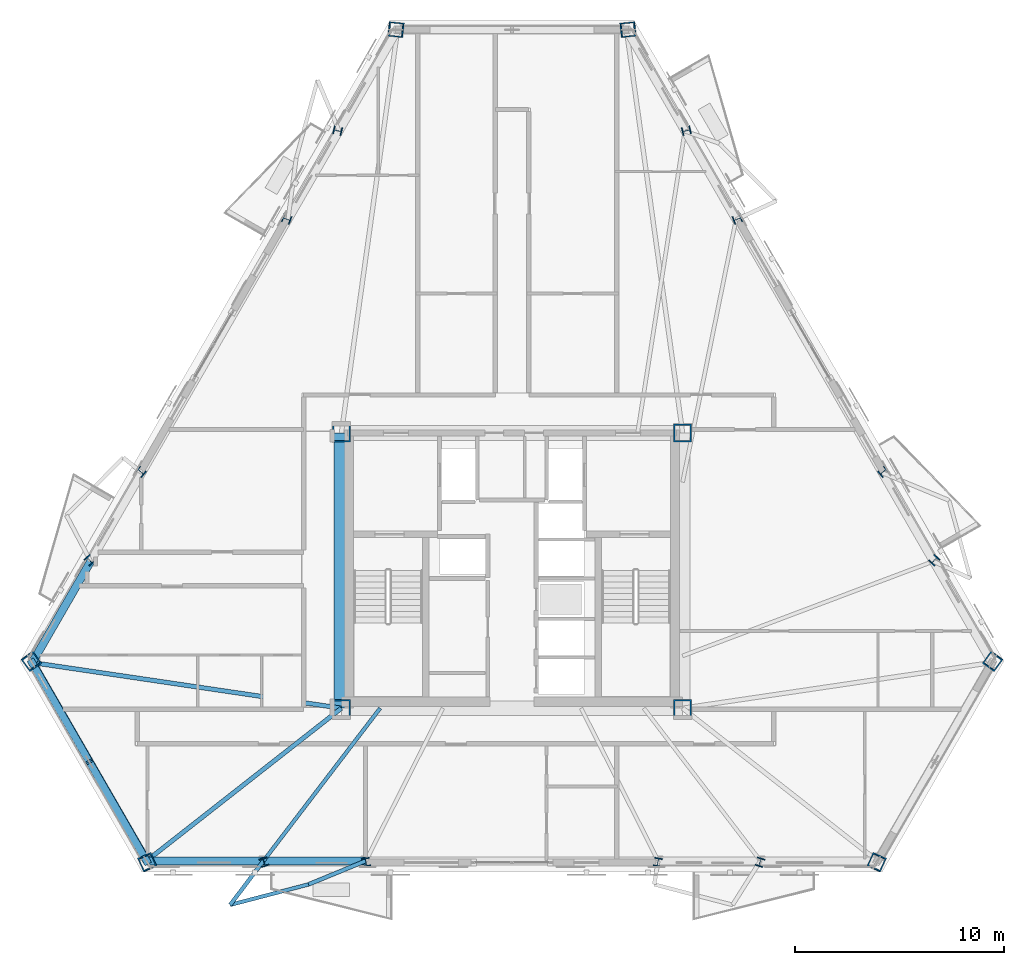
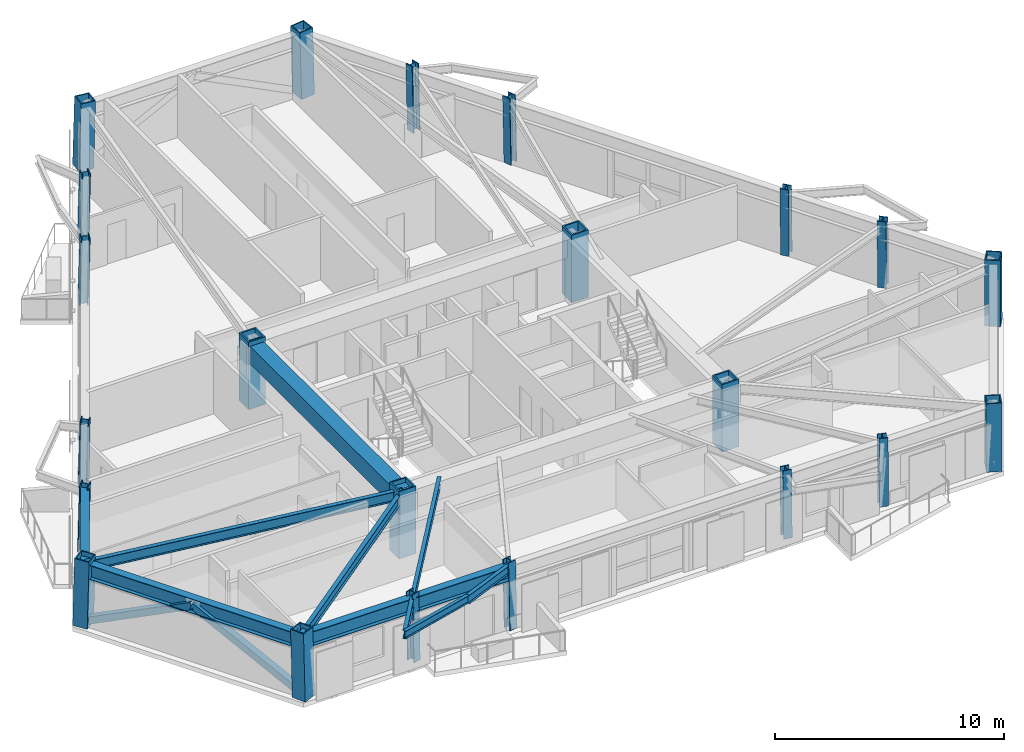
# One storey, part 1 of 16: 22 columns, 11 beams, 2 members.
"""IFC4 building model written with IfcOpenShell, lengths in metres."""

from ifc_helpers import new_model, si_unit, direction, frame, origin, origin_2d, place, context, subcontext, project, spatial, rectangle, hollow_rectangle, i_section, extrude, material, material_profile, profile_set, type_object, element, save


model = new_model("IFC4")

# Units and contexts
model_context = context("Model", 3, precision=1e-05, world=origin(), true_north=direction((0.0, 1.0)))
body_context = subcontext(model_context, "Body", "Model", "MODEL_VIEW")
ifc_project = project(units=[si_unit("LENGTHUNIT", "METRE"), si_unit("AREAUNIT", "SQUARE_METRE"), si_unit("VOLUMEUNIT", "CUBIC_METRE"), si_unit("PLANEANGLEUNIT", "RADIAN"), si_unit("MASSUNIT", "GRAM", prefix="KILO")], contexts=[model_context])

# Site, building, storey
site_placement = place(None, origin())
site = spatial("IfcSite", under=ifc_project, at=site_placement, CompositionType="ELEMENT")
building_placement = place(site_placement, origin())
building = spatial("IfcBuilding", under=site, at=building_placement, Name="Oramaril Tower", CompositionType="ELEMENT")
storey_placement = place(building_placement, frame((0.0, 0.0, 115.800048828125)))
storey = spatial("IfcBuildingStorey", under=building, at=storey_placement, Name="L30", CompositionType="ELEMENT", Elevation=115.800048828125)

# Columns
ifc_material_1 = material(Name="Steel ASTM A572 Gr 50", Category="steel")
ifc_material_profile_1 = material_profile(ifc_material_1, hollow_rectangle(XDim=0.85009765625, YDim=0.85009765625, WallThickness=0.070068359375, at=origin_2d()), Name="BOX850X850X70")
ifc_profile_set_1 = profile_set([ifc_material_profile_1], Name="Steel ASTM A572 Gr 50")
column_type_1 = type_object("IfcColumnType", Name="CT-CC3", PredefinedType="COLUMN", material=ifc_profile_set_1)
for number, where, z_axis, x_axis, name in (
    (1, (29.35009765625, 11.0, 0.0), (0.0, 0.0, 1.0), (1.0, 0.0, 0.0), "L30 Core Column CC-1"),
    (2, (45.64990234375, 11.0, 0.0), (0.0, 0.0, 1.0), (1.0, 0.0, 0.0), "L30 Core Column CC-2"),
    (3, (45.64990234375, 24.14990234375, 0.0), (0.0, 0.0, 1.0), (1.0, 0.0, 0.0), "L30 Core Column CC-3"),
    (4, (29.35009765625, 24.14990234375, 0.0), (0.0, 0.0, 1.0), (1.0, 0.0, 0.0), "L30 Core Column CC-4"),
):
    element("IfcColumn", number, at=place(storey_placement, frame(where, z_axis=z_axis, x_axis=x_axis)), inside=storey, type_object=column_type_1, Name=name, PredefinedType="COLUMN", context=body_context, shape_type="SweptSolid", body=[
        extrude(hollow_rectangle(XDim=0.85009765625, YDim=0.85009765625, WallThickness=0.070068359375, at=origin_2d()), origin(), (0.0, 0.0, 1.0), 3.599853515625),
    ])
ifc_material_2 = material(Name="Steel ASTM A572 Gr 50", Category="steel")
ifc_material_profile_2 = material_profile(ifc_material_2, hollow_rectangle(XDim=0.699951171875, YDim=0.699951171875, WallThickness=0.054931640625, at=origin_2d()), Name="BOX700X700X55")
ifc_profile_set_2 = profile_set([ifc_material_profile_2], Name="Steel ASTM A572 Gr 50")
column_type_2 = type_object("IfcColumnType", Name="CT-TC4", PredefinedType="COLUMN", material=ifc_profile_set_2)
for number, where, z_axis, x_axis, name in (
    (5, (14.529296875, 13.255126953125, 0.00439453125), (0.015019891197, -0.020728809118, 0.999672305979), (0.809768124835, 0.586750018323, 0.0), "L30 Tube Column TC-01"),
    (6, (20.0869140625, 3.62939453125, 0.00439453125), (-0.01046637819, 0.023243515202, 0.999675044166), (-0.911821705631, -0.410586382068, 0.0), "L30 Tube Column TC-02"),
    (7, (54.9130859375, 3.62939453125, 0.00439453125), (0.01046637819, 0.023243515202, 0.999675044166), (-0.911821705631, 0.410586382068, 0.0), "L30 Tube Column TC-03"),
    (8, (60.470703125, 13.255126953125, 0.00439453125), (-0.015019891197, -0.020728809118, 0.999672305979), (0.809768124835, -0.586750018323, 0.0), "L30 Tube Column TC-04"),
    (9, (43.0576171875, 43.41552734375, 0.00439453125), (-0.025486228771, -0.002582604515, 0.999671837303), (0.100817038257, -0.994904982798, 0.0), "L30 Tube Column TC-05"),
    (10, (31.9423828125, 43.41552734375, 0.00439453125), (0.025486228771, -0.002582604515, 0.999671837303), (0.100817038257, 0.994904982798, 0.0), "L30 Tube Column TC-06"),
):
    element("IfcColumn", number, at=place(storey_placement, frame(where, z_axis=z_axis, x_axis=x_axis)), inside=storey, type_object=column_type_2, Name=name, PredefinedType="COLUMN", context=body_context, shape_type="SweptSolid", body=[
        extrude(hollow_rectangle(XDim=0.699951171875, YDim=0.699951171875, WallThickness=0.054931640625, at=origin_2d()), origin(), (0.0, 0.0, 1.0), 3.59228515625),
    ])
ifc_material_3 = material(Name="Steel ASTM A572 Gr 50", Category="steel")
ifc_material_profile_3 = material_profile(ifc_material_3, i_section(OverallWidth=0.404052734375, OverallDepth=0.406005859375, WebThickness=0.027099609375, FlangeThickness=0.043701171875, at=origin_2d()), Name="W14X233")
ifc_profile_set_3 = profile_set([ifc_material_profile_3], Name="Steel ASTM A572 Gr 50")
column_type_3 = type_object("IfcColumnType", Name="CT-TF3", PredefinedType="COLUMN", material=ifc_profile_set_3)
for number, where, z_axis, x_axis, name in (
    (11, (25.6591796875, 3.62939453125, 0.00439453125), (-0.007136376119, 0.023244196502, 0.999704346027), (-0.955960137676, -0.293496533497, 0.0), "L30 Tube Column TC-07"),
    (12, (30.534912109375, 3.62939453125, 0.00439453125), (-0.004213930076, 0.023244582031, 0.999720927159), (-0.9839618464, -0.178379048178, 0.0), "L30 Tube Column TC-08"),
    (13, (44.465087890625, 3.62939453125, 0.00439453125), (0.004213930076, 0.023244582031, 0.999720927159), (-0.9839618464, 0.178379048178, 0.0), "L30 Tube Column TC-09"),
    (14, (49.3408203125, 3.62939453125, 0.00439453125), (0.007136376119, 0.023244196502, 0.999704346027), (-0.955960137676, 0.293496533497, 0.0), "L30 Tube Column TC-10"),
    (15, (57.6845703125, 18.080810546875, 0.00439453125), (-0.016651518125, -0.017806929587, 0.99970277593), (0.730405993904, -0.683013238575, 0.0), "L30 Tube Column TC-11"),
    (16, (55.24658203125, 22.30322265625, 0.00439453125), (-0.01807909543, -0.015292467939, 0.999719604055), (0.645813564454, -0.763495147311, 0.0), "L30 Tube Column TC-12"),
    (17, (48.281494140625, 34.367431640625, 0.00439453125), (-0.022293001186, -0.008088009577, 0.999718763553), (0.341052623306, -0.940044205416, 0.0), "L30 Tube Column TC-13"),
    (18, (45.843505859375, 38.58984375, 0.00439453125), (-0.023719934475, -0.005505199692, 0.999703484782), (0.226082413774, -0.974108177864, 0.0), "L30 Tube Column TC-14"),
    (19, (29.156494140625, 38.58984375, 0.00439453125), (0.023719934475, -0.005505199692, 0.999703484782), (0.226082413774, 0.974108177864, 0.0), "L30 Tube Column TC-15"),
    (20, (26.718505859375, 34.367431640625, 0.00439453125), (0.022293001186, -0.008088009577, 0.999718763553), (0.341052623306, 0.940044205416, 0.0), "L30 Tube Column TC-16"),
    (21, (19.75341796875, 22.30322265625, 0.00439453125), (0.01807909543, -0.015292467939, 0.999719604055), (0.645813564454, 0.763495147311, 0.0), "L30 Tube Column TC-17"),
    (22, (17.3154296875, 18.080810546875, 0.00439453125), (0.016651518125, -0.017806929587, 0.99970277593), (0.730405993904, 0.683013238575, 0.0), "L30 Tube Column TC-18"),
):
    element("IfcColumn", number, at=place(storey_placement, frame(where, z_axis=z_axis, x_axis=x_axis)), inside=storey, type_object=column_type_3, Name=name, PredefinedType="COLUMN", context=body_context, shape_type="SweptSolid", body=[
        extrude(i_section(OverallWidth=0.404052734375, OverallDepth=0.406005859375, WebThickness=0.027099609375, FlangeThickness=0.043701171875, at=origin_2d()), origin(), (0.0, 0.0, 1.0), 3.592041015625),
    ])

# Beams
ifc_material_4 = material(Name="Steel ASTM A572 Gr 50", Category="steel")
ifc_material_profile_4 = material_profile(ifc_material_4, i_section(OverallWidth=0.19091796875, OverallDepth=0.45703125, WebThickness=0.009033203125, FlangeThickness=0.014404296875, at=origin_2d()), Name="W18X50")
ifc_profile_set_4 = profile_set([ifc_material_profile_4], Name="Steel ASTM A572 Gr 50")
beam_type_1 = type_object("IfcBeamType", Name="BT-BB1", PredefinedType="BEAM", material=ifc_profile_set_4)
beam_1_placement = place(storey_placement, frame((25.633544921875, 3.712890625, 3.13134765625), z_axis=(-0.603863020332, -0.797088108477, 0.0), x_axis=(0.797088108477, -0.603863020332, 0.0)))
element("IfcBeam", 23, at=beam_1_placement, inside=storey, type_object=beam_type_1, Name="L30 Balcony Column-Framed Cantilever 01.1", PredefinedType="BEAM", context=body_context, shape_type="SweptSolid", body=[
    extrude(i_section(OverallWidth=0.19091796875, OverallDepth=0.45703125, WebThickness=0.009033203125, FlangeThickness=0.014404296875, at=origin_2d()), origin(), (0.0, 0.0, 1.0), 2.64453125),
])
beam_2_placement = place(storey_placement, frame((30.519775390625, 3.712890625, 3.13134765625), z_axis=(-0.924666149607, -0.380778822639, 0.0), x_axis=(0.380778822639, -0.924666149607, 0.0)))
element("IfcBeam", 24, at=beam_2_placement, inside=storey, type_object=beam_type_1, Name="L30 Balcony Column-Framed Cantilever 01.2", PredefinedType="BEAM", context=body_context, shape_type="SweptSolid", body=[
    extrude(i_section(OverallWidth=0.19091796875, OverallDepth=0.45703125, WebThickness=0.009033203125, FlangeThickness=0.014404296875, at=origin_2d()), origin(), (0.0, 0.0, 1.0), 2.962158203125),
])
ifc_material_5 = material(Name="Concrete C50/60", Category="concrete")
ifc_material_profile_5 = material_profile(ifc_material_5, rectangle(XDim=0.699951171875, YDim=0.949951171875, at=origin_2d()), Name="CB700X950")
ifc_profile_set_5 = profile_set([ifc_material_profile_5], Name="Concrete C50/60")
beam_type_2 = type_object("IfcBeamType", Name="BT-CB1", PredefinedType="BEAM", material=ifc_profile_set_5)
beam_3_placement = place(storey_placement, frame((29.35009765625, 24.14990234375, 2.885009765625), z_axis=(0.0, -1.0, 0.0), x_axis=(1.0, 0.0, 0.0)))
element("IfcBeam", 25, at=beam_3_placement, inside=storey, type_object=beam_type_2, Name="L30 Core Header Beam CB-4", PredefinedType="BEAM", context=body_context, shape_type="SweptSolid", body=[
    extrude(rectangle(XDim=0.699951171875, YDim=0.949951171875, at=origin_2d()), origin(), (0.0, 0.0, 1.0), 13.14990234375),
])
ifc_material_6 = material(Name="Steel ASTM A572 Gr 50", Category="steel")
ifc_material_profile_6 = material_profile(ifc_material_6, i_section(OverallWidth=0.2099609375, OverallDepth=0.535888671875, WebThickness=0.010986328125, FlangeThickness=0.017333984375, at=origin_2d()), Name="W21X68")
ifc_profile_set_6 = profile_set([ifc_material_profile_6], Name="Steel ASTM A572 Gr 50")
beam_type_3 = type_object("IfcBeamType", Name="BT-FB2", PredefinedType="BEAM", material=ifc_profile_set_6)
beam_4_placement = place(storey_placement, frame((29.35009765625, 11.0, 3.092041015625), z_axis=(-0.989271500293, 0.146088667283, 0.0), x_axis=(-0.146088667283, -0.989271500293, 0.0)))
element("IfcBeam", 26, at=beam_4_placement, inside=storey, type_object=beam_type_3, Name="L30 Radial Primary Beam RB-01", PredefinedType="BEAM", context=body_context, shape_type="SweptSolid", body=[
    extrude(i_section(OverallWidth=0.2099609375, OverallDepth=0.535888671875, WebThickness=0.010986328125, FlangeThickness=0.017333984375, at=origin_2d()), origin(), (0.0, 0.0, 1.0), 14.927001953125),
])
beam_5_placement = place(storey_placement, frame((29.35009765625, 11.0, 3.092041015625), z_axis=(-0.787166527456, -0.616740511117, 0.0), x_axis=(0.616740511117, -0.787166527456, 0.0)))
element("IfcBeam", 27, at=beam_5_placement, inside=storey, type_object=beam_type_3, Name="L30 Radial Primary Beam RB-02", PredefinedType="BEAM", context=body_context, shape_type="SweptSolid", body=[
    extrude(i_section(OverallWidth=0.2099609375, OverallDepth=0.535888671875, WebThickness=0.010986328125, FlangeThickness=0.017333984375, at=origin_2d()), origin(), (0.0, 0.0, 1.0), 11.8154296875),
])
ifc_material_7 = material(Name="Steel ASTM A572 Gr 50", Category="steel")
ifc_material_profile_7 = material_profile(ifc_material_7, i_section(OverallWidth=0.177978515625, OverallDepth=0.404052734375, WebThickness=0.007568359375, FlangeThickness=0.010986328125, at=origin_2d()), Name="W16X36")
ifc_profile_set_7 = profile_set([ifc_material_profile_7], Name="Steel ASTM A572 Gr 50")
beam_type_4 = type_object("IfcBeamType", Name="BT-SB1", PredefinedType="BEAM", material=ifc_profile_set_7)
beam_6_placement = place(storey_placement, frame((31.199951171875, 11.0, 3.157958984375), z_axis=(-0.607031012152, -0.794678142575, 0.0), x_axis=(0.794678142575, -0.607031012152, 0.0)))
element("IfcBeam", 28, at=beam_6_placement, inside=storey, type_object=beam_type_4, Name="L30 Secondary Floor Beam SB-01", PredefinedType="BEAM", context=body_context, shape_type="SweptSolid", body=[
    extrude(i_section(OverallWidth=0.177978515625, OverallDepth=0.404052734375, WebThickness=0.007568359375, FlangeThickness=0.010986328125, at=origin_2d()), origin(), (0.0, 0.0, 1.0), 9.169921875),
])
beam_7_placement = place(storey_placement, frame((24.03662109375, 1.60498046875, 3.157958984375), z_axis=(0.967411967632, 0.253207592467, 0.0), x_axis=(-0.253207592467, 0.967411967632, 0.0)))
element("IfcBeam", 29, at=beam_7_placement, inside=storey, type_object=beam_type_4, Name="L30 Balcony Edge Tie Beam 01", PredefinedType="BEAM", context=body_context, shape_type="SweptSolid", body=[
    extrude(i_section(OverallWidth=0.177978515625, OverallDepth=0.404052734375, WebThickness=0.007568359375, FlangeThickness=0.010986328125, at=origin_2d()), origin(), (0.0, 0.0, 1.0), 3.870361328125),
])
ifc_material_8 = material(Name="Steel ASTM A572 Gr 50", Category="steel")
ifc_material_profile_8 = material_profile(ifc_material_8, i_section(OverallWidth=0.381103515625, OverallDepth=0.77197265625, WebThickness=0.0166015625, FlangeThickness=0.027099609375, at=origin_2d()), Name="W30X173")
ifc_profile_set_8 = profile_set([ifc_material_profile_8], Name="Steel ASTM A572 Gr 50")
beam_type_5 = type_object("IfcBeamType", Name="BT-SP2", PredefinedType="SPANDREL", material=ifc_profile_set_8)
beam_8_placement = place(storey_placement, frame((14.583251953125, 13.1806640625, 2.973876953125), z_axis=(0.49998922304, -0.866031625776, 0.0), x_axis=(0.866031625776, 0.49998922304, 0.0)))
element("IfcBeam", 30, at=beam_8_placement, inside=storey, type_object=beam_type_5, Name="L30 Perimeter Spandrel 01", PredefinedType="SPANDREL", context=body_context, shape_type="SweptSolid", body=[
    extrude(i_section(OverallWidth=0.381103515625, OverallDepth=0.77197265625, WebThickness=0.0166015625, FlangeThickness=0.027099609375, at=origin_2d()), origin(), (0.0, 0.0, 1.0), 10.932373046875),
])
beam_9_placement = place(storey_placement, frame((20.04931640625, 3.712890625, 2.973876953125), z_axis=(1.0, 0.0, 0.0), x_axis=(0.0, 1.0, 0.0)))
element("IfcBeam", 31, at=beam_9_placement, inside=storey, type_object=beam_type_5, Name="L30 Perimeter Spandrel 02", PredefinedType="SPANDREL", context=body_context, shape_type="SweptSolid", body=[
    extrude(i_section(OverallWidth=0.381103515625, OverallDepth=0.77197265625, WebThickness=0.0166015625, FlangeThickness=0.027099609375, at=origin_2d()), origin(), (0.0, 0.0, 1.0), 5.584228515625),
])
beam_10_placement = place(storey_placement, frame((25.633544921875, 3.712890625, 2.973876953125), z_axis=(1.0, 0.0, 0.0), x_axis=(0.0, 1.0, 0.0)))
element("IfcBeam", 32, at=beam_10_placement, inside=storey, type_object=beam_type_5, Name="L30 Perimeter Spandrel 03", PredefinedType="SPANDREL", context=body_context, shape_type="SweptSolid", body=[
    extrude(i_section(OverallWidth=0.381103515625, OverallDepth=0.77197265625, WebThickness=0.0166015625, FlangeThickness=0.027099609375, at=origin_2d()), origin(), (0.0, 0.0, 1.0), 4.88623046875),
])
beam_11_placement = place(storey_placement, frame((17.375244140625, 18.016845703125, 2.973876953125), z_axis=(-0.499976014784, -0.866039251212, 0.0), x_axis=(0.866039251212, -0.499976014784, 0.0)))
element("IfcBeam", 33, at=beam_11_placement, inside=storey, type_object=beam_type_5, Name="L30 Perimeter Spandrel 18", PredefinedType="SPANDREL", context=body_context, shape_type="SweptSolid", body=[
    extrude(i_section(OverallWidth=0.381103515625, OverallDepth=0.77197265625, WebThickness=0.0166015625, FlangeThickness=0.027099609375, at=origin_2d()), origin(), (0.0, 0.0, 1.0), 5.584228515625),
])

# Members
ifc_material_9 = material(Name="Steel ASTM A572 Gr 50", Category="steel")
ifc_material_profile_9 = material_profile(ifc_material_9, hollow_rectangle(XDim=0.35009765625, YDim=0.35009765625, WallThickness=0.01611328125, at=origin_2d()), Name="HSS350X350X16")
ifc_profile_set_9 = profile_set([ifc_material_profile_9], Name="Steel ASTM A572 Gr 50")
member_type = type_object("IfcMemberType", Name="MT-KB1", PredefinedType="BRACE", material=ifc_profile_set_9)
member_1_placement = place(storey_placement, frame((14.529296875, 13.255126953125, 0.179931640625), z_axis=(0.446728599846, -0.773748692441, 0.449162018682), x_axis=(0.86602318214, 0.500003847982, 0.0)))
element("IfcMember", 34, at=member_1_placement, inside=storey, type_object=member_type, Name="L30 Perimeter Chevron Brace KB-1A", PredefinedType="BRACE", context=body_context, shape_type="SweptSolid", body=[
    extrude(hollow_rectangle(XDim=0.35009765625, YDim=0.35009765625, WallThickness=0.01611328125, at=origin_2d()), origin(), (0.0, 0.0, 1.0), 6.220458984375),
])
member_2_placement = place(storey_placement, frame((20.0869140625, 3.62939453125, 0.179931640625), z_axis=(-0.446742166652, 0.773732940715, 0.449175659389), x_axis=(-0.866012199007, -0.500022870649, 0.0)))
element("IfcMember", 35, at=member_2_placement, inside=storey, type_object=member_type, Name="L30 Perimeter Chevron Brace KB-1B", PredefinedType="BRACE", context=body_context, shape_type="SweptSolid", body=[
    extrude(hollow_rectangle(XDim=0.35009765625, YDim=0.35009765625, WallThickness=0.01611328125, at=origin_2d()), origin(), (0.0, 0.0, 1.0), 6.22021484375),
])

save(model, "model.ifc")
